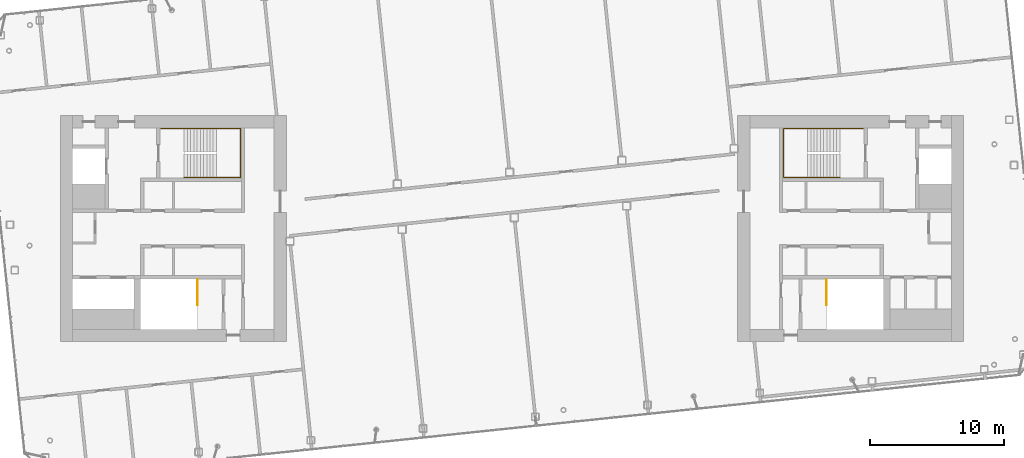
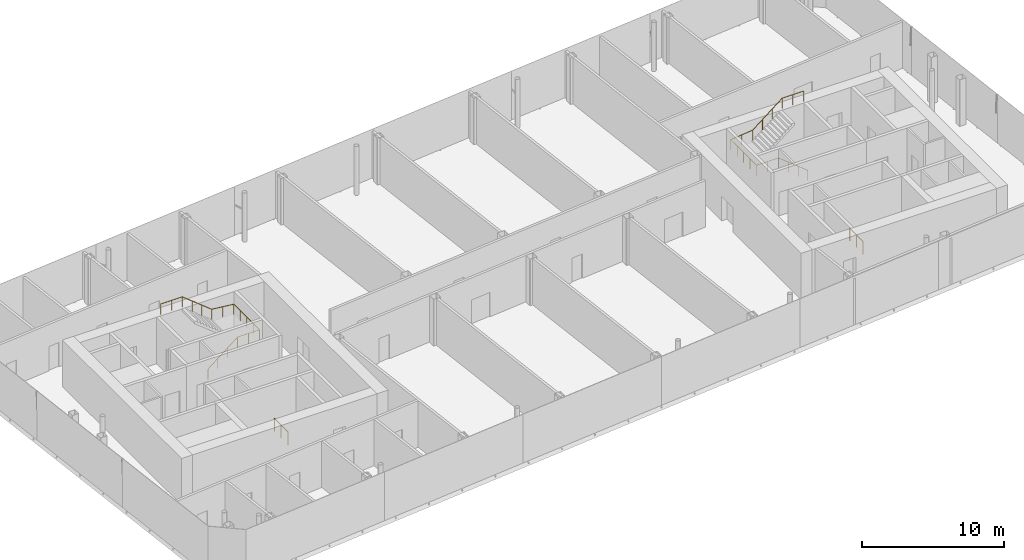
# One storey, part 28 of 28: 4 railings.
"""IFC4 building model written with IfcOpenShell, lengths in metres."""

from ifc_helpers import new_model, si_unit, direction, frame, origin, origin_2d, place, context, subcontext, project, spatial, circle, extrude, material, type_object, element, save


model = new_model("IFC4")

# Units and contexts
model_context = context("Model", 3, precision=1e-05, world=origin(), true_north=direction((0.0, 1.0)))
body_context = subcontext(model_context, "Body", "Model", "MODEL_VIEW")
ifc_project = project(units=[si_unit("LENGTHUNIT", "METRE"), si_unit("AREAUNIT", "SQUARE_METRE"), si_unit("VOLUMEUNIT", "CUBIC_METRE"), si_unit("PLANEANGLEUNIT", "RADIAN"), si_unit("MASSUNIT", "GRAM", prefix="KILO")], contexts=[model_context])

# Site, building, storey
site_placement = place(None, origin())
site = spatial("IfcSite", under=ifc_project, at=site_placement, CompositionType="ELEMENT")
building_placement = place(site_placement, origin())
building = spatial("IfcBuilding", under=site, at=building_placement, Name="Hakoniwa Tower and Hamabe Station Hall", CompositionType="ELEMENT")
storey_placement = place(building_placement, frame((0.0, 0.0, 280.800048828125)))
storey = spatial("IfcBuildingStorey", under=building, at=storey_placement, Name="L78", CompositionType="ELEMENT", Elevation=280.800048828125)

# Railings
ifc_material_1 = material(Name="Stainless steel SUS304", Category="steel")
railing_type_1 = type_object("IfcRailingType", Name="STAIR HANDRAIL 900", PredefinedType="HANDRAIL", material=ifc_material_1)
railing_1_placement = place(storey_placement, frame((-24.39990234375, 3.81005859375, 0.19091796875)))
element("IfcRailing", 1, at=railing_1_placement, inside=storey, type_object=railing_type_1, Name="Handrail ST-1 L78 1", PredefinedType="HANDRAIL", context=body_context, shape_type="SweptSolid", body=[
    extrude(circle(Radius=0.02392578125, at=origin_2d()), frame((0.0, 0.0, 0.8759765625), z_axis=(0.782613395448, 0.0, 0.622508050764), x_axis=(0.0, 1.0, 0.0)), (0.0, 0.0, 1.0), 3.06640625),
    extrude(circle(Radius=0.02392578125, at=origin_2d()), frame((2.39990234375, 0.0, 2.78466796875), z_axis=(1.0, 0.0, 0.0), x_axis=(0.0, 1.0, 0.0)), (0.0, 0.0, 1.0), 1.7900390625),
    extrude(circle(Radius=0.02392578125, at=origin_2d()), frame((4.18994140625, 0.0, 2.78466796875), z_axis=(0.0, 1.0, 0.0), x_axis=(-1.0, 0.0, 0.0)), (0.0, 0.0, 1.0), 3.6298828125),
    extrude(circle(Radius=0.02392578125, at=origin_2d()), frame((4.18994140625, 3.6298828125, 2.78466796875), z_axis=(-0.994360344759, 0.0, 0.106054253901), x_axis=(0.0, -1.0, 0.0)), (0.0, 0.0, 1.0), 1.80029296875),
    extrude(circle(Radius=0.02392578125, at=origin_2d()), frame((2.39990234375, 3.6298828125, 2.9755859375), z_axis=(-0.782574608867, 0.0, 0.622556809903), x_axis=(0.0, -1.0, 0.0)), (0.0, 0.0, 1.0), 3.066650390625),
    extrude(circle(Radius=0.02392578125, at=origin_2d()), frame((0.0, 3.6298828125, 4.884765625), z_axis=(-1.0, 0.0, 0.0), x_axis=(0.0, -1.0, 0.0)), (0.0, 0.0, 1.0), 1.739990234375),
    extrude(circle(Radius=0.02099609375, at=origin_2d()), origin(), (0.0, 0.0, 1.0), 0.851806640625),
    extrude(circle(Radius=0.02099609375, at=origin_2d()), frame((0.800048828125, 0.0, 0.63623046875)), (0.0, 0.0, 1.0), 0.851806640625),
    extrude(circle(Radius=0.02099609375, at=origin_2d()), frame((1.599853515625, 0.0, 1.272705078125)), (0.0, 0.0, 1.0), 0.851806640625),
    extrude(circle(Radius=0.02099609375, at=origin_2d()), frame((2.39990234375, 0.0, 1.908935546875)), (0.0, 0.0, 1.0), 0.851806640625),
    extrude(circle(Radius=0.02099609375, at=origin_2d()), frame((3.294921875, 0.0, 1.908935546875)), (0.0, 0.0, 1.0), 0.851806640625),
    extrude(circle(Radius=0.02099609375, at=origin_2d()), frame((4.18994140625, 0.0, 1.908935546875)), (0.0, 0.0, 1.0), 0.851806640625),
    extrude(circle(Radius=0.02099609375, at=origin_2d()), frame((4.18994140625, 0.907470703125, 1.908935546875)), (0.0, 0.0, 1.0), 0.851806640625),
    extrude(circle(Radius=0.02099609375, at=origin_2d()), frame((4.18994140625, 1.81494140625, 1.908935546875)), (0.0, 0.0, 1.0), 0.851806640625),
    extrude(circle(Radius=0.02099609375, at=origin_2d()), frame((4.18994140625, 2.722412109375, 1.908935546875)), (0.0, 0.0, 1.0), 0.851806640625),
    extrude(circle(Radius=0.02099609375, at=origin_2d()), frame((4.18994140625, 3.6298828125, 1.908935546875)), (0.0, 0.0, 1.0), 0.851806640625),
    extrude(circle(Radius=0.02099609375, at=origin_2d()), frame((3.294921875, 3.6298828125, 2.00439453125)), (0.0, 0.0, 1.0), 0.851806640625),
    extrude(circle(Radius=0.02099609375, at=origin_2d()), frame((2.39990234375, 3.6298828125, 2.099853515625)), (0.0, 0.0, 1.0), 0.851806640625),
    extrude(circle(Radius=0.02099609375, at=origin_2d()), frame((1.599853515625, 3.6298828125, 2.736328125)), (0.0, 0.0, 1.0), 0.851806640625),
    extrude(circle(Radius=0.02099609375, at=origin_2d()), frame((0.800048828125, 3.6298828125, 3.37255859375)), (0.0, 0.0, 1.0), 0.851806640625),
    extrude(circle(Radius=0.02099609375, at=origin_2d()), frame((0.0, 3.6298828125, 4.009033203125)), (0.0, 0.0, 1.0), 0.851806640625),
    extrude(circle(Radius=0.02099609375, at=origin_2d()), frame((-0.8701171875, 3.6298828125, 4.009033203125)), (0.0, 0.0, 1.0), 0.851806640625),
    extrude(circle(Radius=0.02099609375, at=origin_2d()), frame((-1.739990234375, 3.6298828125, 4.009033203125)), (0.0, 0.0, 1.0), 0.851806640625),
])
railing_2_placement = place(storey_placement, frame((24.39990234375, 3.81005859375, 0.19091796875)))
element("IfcRailing", 2, at=railing_2_placement, inside=storey, type_object=railing_type_1, Name="Handrail ST-3 L78 1", PredefinedType="HANDRAIL", context=body_context, shape_type="SweptSolid", body=[
    extrude(circle(Radius=0.02392578125, at=origin_2d()), frame((0.0, 0.0, 0.8759765625), z_axis=(-0.782613395448, 0.0, 0.622508050764), x_axis=(0.0, -1.0, 0.0)), (0.0, 0.0, 1.0), 3.06640625),
    extrude(circle(Radius=0.02392578125, at=origin_2d()), frame((-2.39990234375, 0.0, 2.78466796875), z_axis=(-1.0, 0.0, 0.0), x_axis=(0.0, -1.0, 0.0)), (0.0, 0.0, 1.0), 1.7900390625),
    extrude(circle(Radius=0.02392578125, at=origin_2d()), frame((-4.18994140625, 0.0, 2.78466796875), z_axis=(0.0, 1.0, 0.0), x_axis=(-1.0, 0.0, 0.0)), (0.0, 0.0, 1.0), 3.6298828125),
    extrude(circle(Radius=0.02392578125, at=origin_2d()), frame((-4.18994140625, 3.6298828125, 2.78466796875), z_axis=(0.994360344759, 0.0, 0.106054253901), x_axis=(0.0, 1.0, 0.0)), (0.0, 0.0, 1.0), 1.80029296875),
    extrude(circle(Radius=0.02392578125, at=origin_2d()), frame((-2.39990234375, 3.6298828125, 2.9755859375), z_axis=(0.782574608867, 0.0, 0.622556809903), x_axis=(0.0, 1.0, 0.0)), (0.0, 0.0, 1.0), 3.066650390625),
    extrude(circle(Radius=0.02392578125, at=origin_2d()), frame((0.0, 3.6298828125, 4.884765625), z_axis=(1.0, 0.0, 0.0), x_axis=(0.0, 1.0, 0.0)), (0.0, 0.0, 1.0), 1.739990234375),
    extrude(circle(Radius=0.02099609375, at=origin_2d()), origin(), (0.0, 0.0, 1.0), 0.851806640625),
    extrude(circle(Radius=0.02099609375, at=origin_2d()), frame((-0.800048828125, 0.0, 0.63623046875)), (0.0, 0.0, 1.0), 0.851806640625),
    extrude(circle(Radius=0.02099609375, at=origin_2d()), frame((-1.599853515625, 0.0, 1.272705078125)), (0.0, 0.0, 1.0), 0.851806640625),
    extrude(circle(Radius=0.02099609375, at=origin_2d()), frame((-2.39990234375, 0.0, 1.908935546875)), (0.0, 0.0, 1.0), 0.851806640625),
    extrude(circle(Radius=0.02099609375, at=origin_2d()), frame((-3.294921875, 0.0, 1.908935546875)), (0.0, 0.0, 1.0), 0.851806640625),
    extrude(circle(Radius=0.02099609375, at=origin_2d()), frame((-4.18994140625, 0.0, 1.908935546875)), (0.0, 0.0, 1.0), 0.851806640625),
    extrude(circle(Radius=0.02099609375, at=origin_2d()), frame((-4.18994140625, 0.907470703125, 1.908935546875)), (0.0, 0.0, 1.0), 0.851806640625),
    extrude(circle(Radius=0.02099609375, at=origin_2d()), frame((-4.18994140625, 1.81494140625, 1.908935546875)), (0.0, 0.0, 1.0), 0.851806640625),
    extrude(circle(Radius=0.02099609375, at=origin_2d()), frame((-4.18994140625, 2.722412109375, 1.908935546875)), (0.0, 0.0, 1.0), 0.851806640625),
    extrude(circle(Radius=0.02099609375, at=origin_2d()), frame((-4.18994140625, 3.6298828125, 1.908935546875)), (0.0, 0.0, 1.0), 0.851806640625),
    extrude(circle(Radius=0.02099609375, at=origin_2d()), frame((-3.294921875, 3.6298828125, 2.00439453125)), (0.0, 0.0, 1.0), 0.851806640625),
    extrude(circle(Radius=0.02099609375, at=origin_2d()), frame((-2.39990234375, 3.6298828125, 2.099853515625)), (0.0, 0.0, 1.0), 0.851806640625),
    extrude(circle(Radius=0.02099609375, at=origin_2d()), frame((-1.599853515625, 3.6298828125, 2.736328125)), (0.0, 0.0, 1.0), 0.851806640625),
    extrude(circle(Radius=0.02099609375, at=origin_2d()), frame((-0.800048828125, 3.6298828125, 3.37255859375)), (0.0, 0.0, 1.0), 0.851806640625),
    extrude(circle(Radius=0.02099609375, at=origin_2d()), frame((0.0, 3.6298828125, 4.009033203125)), (0.0, 0.0, 1.0), 0.851806640625),
    extrude(circle(Radius=0.02099609375, at=origin_2d()), frame((0.8701171875, 3.6298828125, 4.009033203125)), (0.0, 0.0, 1.0), 0.851806640625),
    extrude(circle(Radius=0.02099609375, at=origin_2d()), frame((1.739990234375, 3.6298828125, 4.009033203125)), (0.0, 0.0, 1.0), 0.851806640625),
])
ifc_material_2 = material(Name="Stainless steel SUS304", Category="steel")
railing_type_2 = type_object("IfcRailingType", Name="STAIR WELL GUARD 1100", PredefinedType="GUARDRAIL", material=ifc_material_2)
for number, where, name in (
    (3, (-23.39990234375, -3.81005859375, 0.0), "Stair well guard ST-2 L78"),
    (4, (23.39990234375, -3.81005859375, 0.0), "Stair well guard ST-4 L78"),
):
    element("IfcRailing", number, at=place(storey_placement, frame(where)), inside=storey, type_object=railing_type_2, Name=name, PredefinedType="GUARDRAIL", context=body_context, shape_type="SweptSolid", body=[
        extrude(circle(Radius=0.02392578125, at=origin_2d()), frame((0.0, 0.0, 1.076171875), z_axis=(0.0, -1.0, 0.0), x_axis=(1.0, 0.0, 0.0)), (0.0, 0.0, 1.0), 1.889892578125),
        extrude(circle(Radius=0.02099609375, at=origin_2d()), origin(), (0.0, 0.0, 1.0), 1.052001953125),
        extrude(circle(Radius=0.02099609375, at=origin_2d()), frame((0.0, -0.94482421875, 0.0)), (0.0, 0.0, 1.0), 1.052001953125),
        extrude(circle(Radius=0.02099609375, at=origin_2d()), frame((0.0, -1.889892578125, 0.0)), (0.0, 0.0, 1.0), 1.052001953125),
    ])

save(model, "model.ifc")
